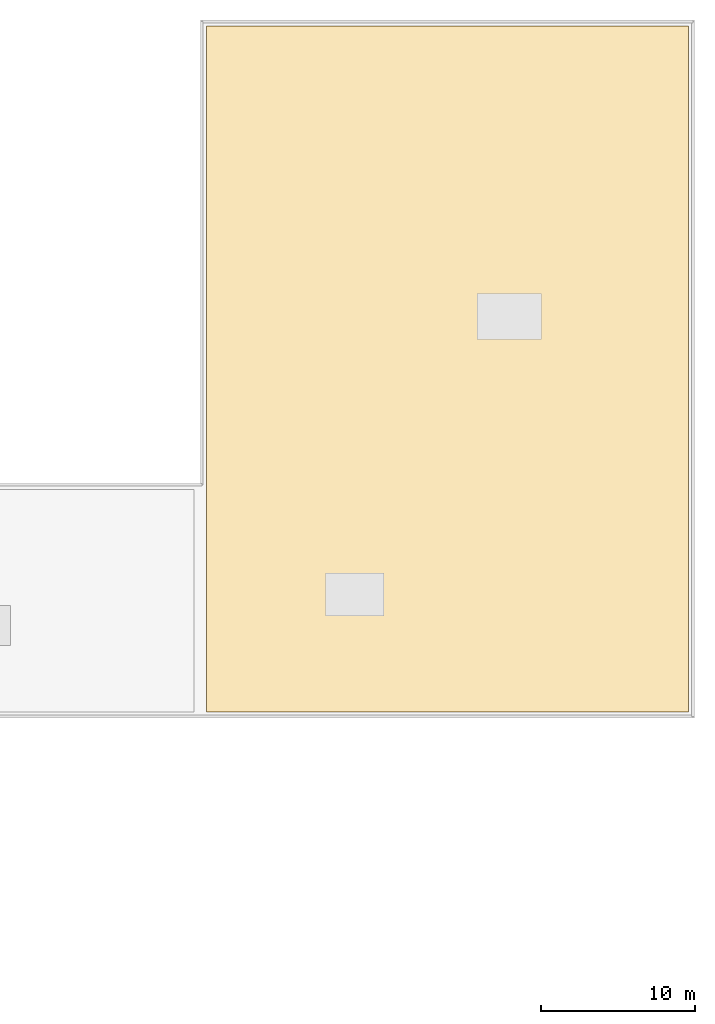
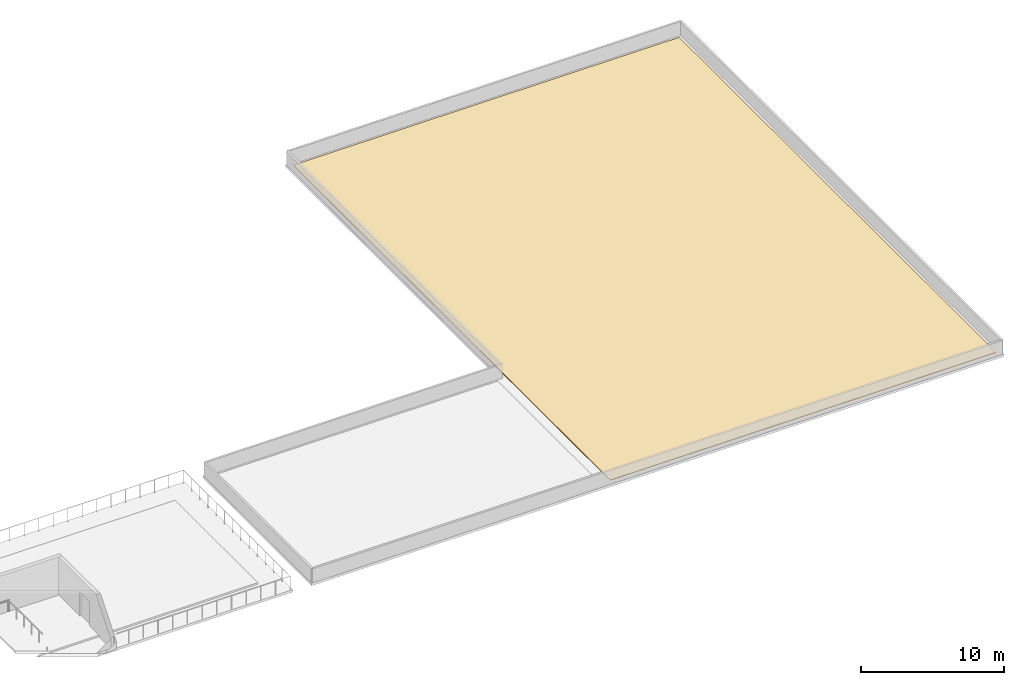
# One storey, part 21 of 21: 1 covering.
"""IFC4 building model written with IfcOpenShell, lengths in metres."""

from ifc_helpers import new_model, si_unit, direction, frame, origin, place, context, subcontext, project, spatial, polyline, outline, extrude, material, layer, layer_set, type_object, element, save


model = new_model("IFC4")

# Units and contexts
model_context = context("Model", 3, precision=1e-05, world=origin(), true_north=direction((0.0, 1.0)))
body_context = subcontext(model_context, "Body", "Model", "MODEL_VIEW")
ifc_project = project(units=[si_unit("LENGTHUNIT", "METRE"), si_unit("AREAUNIT", "SQUARE_METRE"), si_unit("VOLUMEUNIT", "CUBIC_METRE"), si_unit("PLANEANGLEUNIT", "RADIAN"), si_unit("MASSUNIT", "GRAM", prefix="KILO")], contexts=[model_context])

# Site, building, storey
site_placement = place(None, origin())
site = spatial("IfcSite", under=ifc_project, at=site_placement, CompositionType="ELEMENT")
building_placement = place(site_placement, origin())
building = spatial("IfcBuilding", under=site, at=building_placement, Name="Zulena Civic Courthouse", CompositionType="ELEMENT")
storey_placement = place(building_placement, frame((0.0, 0.0, 37.800048828125)))
storey = spatial("IfcBuildingStorey", under=building, at=storey_placement, Name="L08", CompositionType="ELEMENT", Elevation=37.800048828125)

# Covering
ifc_material = material(Name="Insulated standing-seam zinc-aluminium roofing", Category="aluminium")
ifc_layer = layer(ifc_material, 0.06005859375)
ifc_layer_set = layer_set([ifc_layer], Name="Insulated standing-seam zinc-aluminium roofing")
covering_type = type_object("IfcCoveringType", Name="StandingSeamRoofing_60", PredefinedType="ROOFING", material=ifc_layer_set)
covering_placement = place(storey_placement, origin())
element("IfcCovering", 1, at=covering_placement, inside=storey, type_object=covering_type, Name="cov:roofing:V5N", PredefinedType="ROOFING", context=body_context, shape_type="SweptSolid", body=[
    extrude(outline(polyline([(68.39990234375, 46.39990234375), (99.60009765625, 46.39990234375), (99.60009765625, 90.800048828125), (68.39990234375, 90.800048828125), (68.39990234375, 46.39990234375)])), origin(), (0.0, 0.0, 1.0), 0.06005859375),
])

save(model, "model.ifc")
